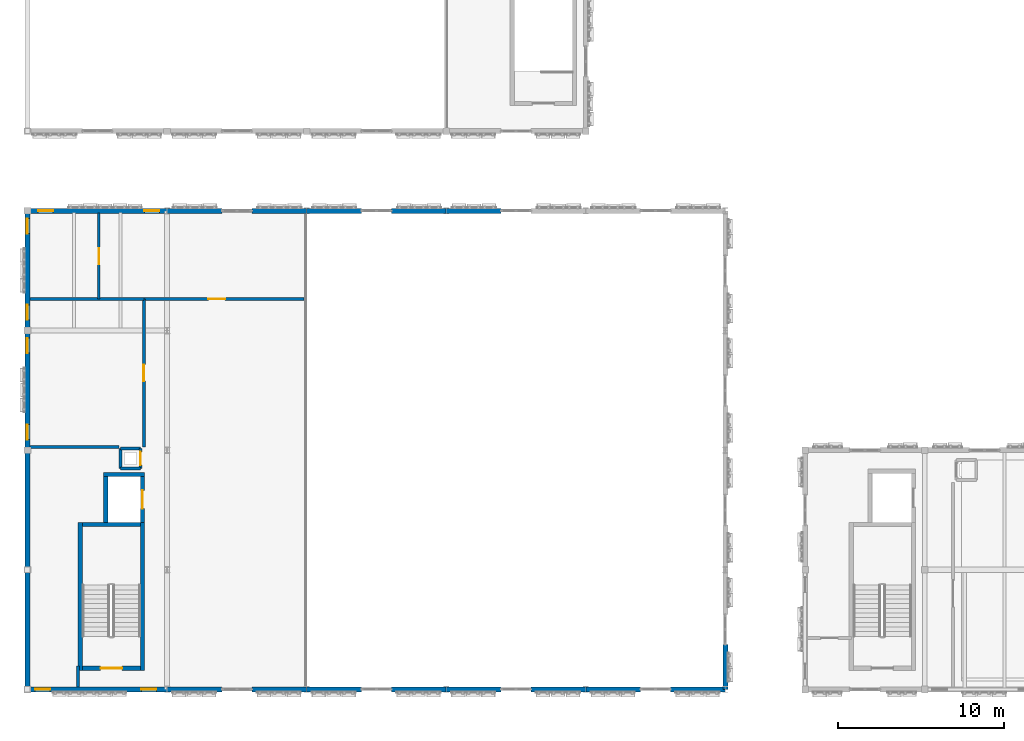
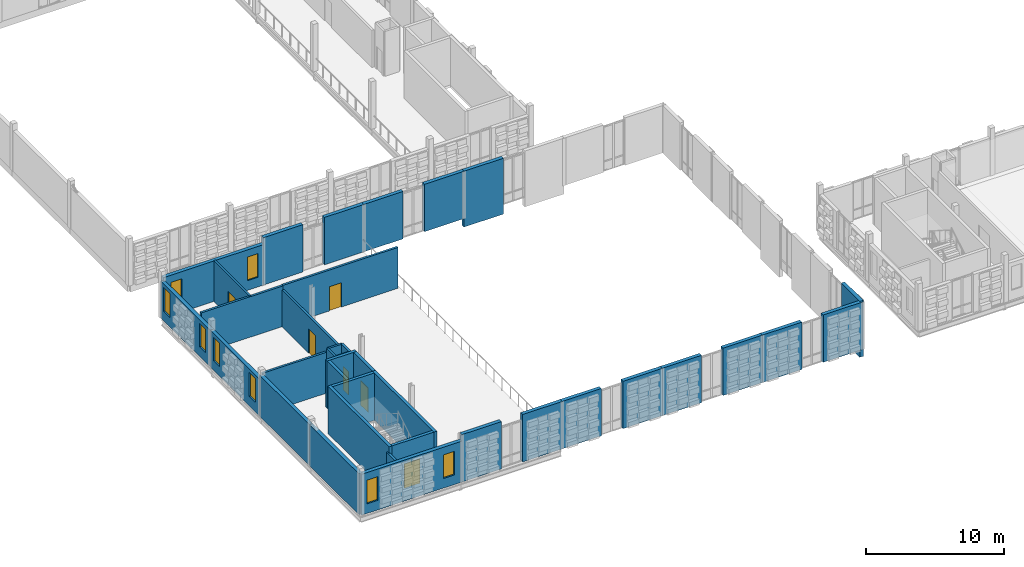
# One storey, part 52 of 81: 37 walls, 8 windows, 6 doors, 14 openings.
"""IFC4 building model written with IfcOpenShell, lengths in metres."""

from ifc_helpers import new_model, si_unit, direction, frame, frame_2d, origin, place, context, subcontext, project, spatial, rectangle, extrude, material, layer, layer_set, type_object, element, fill, save


model = new_model("IFC4")

# Units and contexts
model_context = context("Model", 3, precision=1e-05, world=origin(), true_north=direction((0.0, 1.0)))
body_context = subcontext(model_context, "Body", "Model", "MODEL_VIEW")
ifc_project = project(units=[si_unit("LENGTHUNIT", "METRE"), si_unit("AREAUNIT", "SQUARE_METRE"), si_unit("VOLUMEUNIT", "CUBIC_METRE"), si_unit("PLANEANGLEUNIT", "RADIAN"), si_unit("MASSUNIT", "GRAM", prefix="KILO")], contexts=[model_context])

# Site, building, storey
site_placement = place(None, origin())
site = spatial("IfcSite", under=ifc_project, at=site_placement, CompositionType="ELEMENT")
building_placement = place(site_placement, origin())
building = spatial("IfcBuilding", under=site, at=building_placement, Name="Kahlenmark Community Centre", CompositionType="ELEMENT")
storey_placement = place(building_placement, frame((0.0, 0.0, 9.60009765625)))
storey = spatial("IfcBuildingStorey", under=building, at=storey_placement, Name="L02", CompositionType="ELEMENT", Elevation=9.60009765625)

# Wall, opening, door
ifc_material_1 = material(Name="Concrete C35/45", Category="concrete")
ifc_layer_1 = layer(ifc_material_1, 0.25)
ifc_layer_set_1 = layer_set([ifc_layer_1], Name="Concrete C35/45")
wall_type_1 = type_object("IfcWallType", Name="WT-CORE-250", PredefinedType="SHEAR", material=ifc_layer_set_1)
wall_1_placement = place(storey_placement, frame((7.300048828125, 10.074951171875, 0.0), z_axis=(0.0, 0.0, 1.0), x_axis=(1.0, 0.0, 0.0)))
wall_1 = element("IfcWall", 1, at=wall_1_placement, inside=storey, type_object=wall_type_1, Name="Core K1 shear wall WL-CORE-K1-L02-0022", PredefinedType="SHEAR", context=body_context, shape_type="SweptSolid", body=[
    extrude(rectangle(XDim=3.5, YDim=0.25, at=frame_2d((1.75, 0.0))), origin(), (0.0, 0.0, 1.0), 4.199951171875),
])
opening_1_placement = place(wall_1_placement, frame((1.10009765625, 0.0, -0.010009765625)))
opening_1 = element("IfcOpeningElement", 2, at=opening_1_placement, cuts=wall_1, Name="Opening FD-K1-L02", PredefinedType="OPENING", context=body_context, shape_type="SweptSolid", body=[
    extrude(rectangle(XDim=1.300048828125, YDim=2.159912109375, at=frame_2d((0.64990234375, 1.080078125))), frame((0.0, 0.135009765625, 0.0), z_axis=(0.0, -1.0, 0.0), x_axis=(1.0, 0.0, 0.0)), (0.0, 0.0, 1.0), 0.27001953125),
])
ifc_material_2 = material(Name="Fire-rated steel-framed timber door FD60S", Category="steel")
door_type_1 = type_object("IfcDoorType", Name="DT-FD-K1-L02", OperationType="NOTDEFINED", PredefinedType="DOOR", material=ifc_material_2)
door_1_placement = place(opening_1_placement, frame((1.300048828125, 0.0, 0.010009765625), z_axis=(0.0, 0.0, 1.0), x_axis=(-1.0, 0.0, 0.0)))
door_1 = element("IfcDoor", 3, at=door_1_placement, inside=storey, type_object=door_type_1, Name="Core K1 stair fire door L02", OperationType="SINGLE_SWING_LEFT", OverallHeight=2.14990234375, OverallWidth=1.300048828125, PredefinedType="DOOR", context=body_context, shape_type="SweptSolid", body=[
    extrude(rectangle(XDim=1.300048828125, YDim=2.14990234375, at=frame_2d((0.64990234375, 1.074951171875))), frame((0.0, 0.02490234375, 0.0), z_axis=(0.0, -1.0, 0.0), x_axis=(1.0, 0.0, 0.0)), (0.0, 0.0, 1.0), 0.050048828125),
])
fill(opening_1, door_1)

# Walls
wall_2_placement = place(storey_placement, frame((7.175048828125, 9.949951171875, 0.0), z_axis=(0.0, 0.0, 1.0), x_axis=(0.0, 1.0, 0.0)))
element("IfcWall", 4, at=wall_2_placement, inside=storey, type_object=wall_type_1, Name="Core K1 shear wall WL-CORE-K1-L02-0023", PredefinedType="SHEAR", context=body_context, shape_type="SweptSolid", body=[
    extrude(rectangle(XDim=8.900146484375, YDim=0.25, at=frame_2d((4.4501953125, 0.0))), origin(), (0.0, 0.0, 1.0), 4.199951171875),
])
wall_3_placement = place(storey_placement, frame((10.800048828125, 18.72509765625, 0.0), z_axis=(0.0, 0.0, 1.0), x_axis=(-1.0, 0.0, 0.0)))
element("IfcWall", 5, at=wall_3_placement, inside=storey, type_object=wall_type_1, Name="Core K1 shear wall WL-CORE-K1-L02-0024", PredefinedType="SHEAR", context=body_context, shape_type="SweptSolid", body=[
    extrude(rectangle(XDim=3.5, YDim=0.25, at=frame_2d((1.75, 0.0))), origin(), (0.0, 0.0, 1.0), 4.199951171875),
])
wall_4_placement = place(storey_placement, frame((10.925048828125, 9.949951171875, 0.0), z_axis=(0.0, 0.0, 1.0), x_axis=(0.0, 1.0, 0.0)))
element("IfcWall", 6, at=wall_4_placement, inside=storey, type_object=wall_type_1, Name="Core K1 shear wall WL-CORE-K1-L02-0025", PredefinedType="SHEAR", context=body_context, shape_type="SweptSolid", body=[
    extrude(rectangle(XDim=8.900146484375, YDim=0.25, at=frame_2d((4.4501953125, 0.0))), origin(), (0.0, 0.0, 1.0), 4.199951171875),
])
wall_5_placement = place(storey_placement, frame((8.590087890625, 21.735107421875, 0.0), z_axis=(0.0, 0.0, 1.0), x_axis=(1.0, 0.0, 0.0)))
element("IfcWall", 7, at=wall_5_placement, inside=storey, type_object=wall_type_1, Name="Core K1 shear wall WL-CORE-K1-L02-0026", PredefinedType="SHEAR", context=body_context, shape_type="SweptSolid", body=[
    extrude(rectangle(XDim=2.4599609375, YDim=0.25, at=frame_2d((1.22998046875, 0.0))), origin(), (0.0, 0.0, 1.0), 4.199951171875),
])

# Wall, opening, door
wall_6_placement = place(storey_placement, frame((10.925048828125, 18.85009765625, 0.0), z_axis=(0.0, 0.0, 1.0), x_axis=(0.0, 1.0, 0.0)))
wall_6 = element("IfcWall", 8, at=wall_6_placement, inside=storey, type_object=wall_type_1, Name="Core K1 shear wall WL-CORE-K1-L02-0027", PredefinedType="SHEAR", context=body_context, shape_type="SweptSolid", body=[
    extrude(rectangle(XDim=2.760009765625, YDim=0.25, at=frame_2d((1.3798828125, 0.0))), origin(), (0.0, 0.0, 1.0), 4.199951171875),
])
opening_2_placement = place(wall_6_placement, frame((0.830078125, 0.0, -0.010009765625)))
opening_2 = element("IfcOpeningElement", 9, at=opening_2_placement, cuts=wall_6, Name="Opening LD-1", PredefinedType="OPENING", context=body_context, shape_type="SweptSolid", body=[
    extrude(rectangle(XDim=1.10009765625, YDim=2.159912109375, at=frame_2d((0.550048828125, 1.080078125))), frame((0.0, 0.135009765625, 0.0), z_axis=(0.0, -1.0, 0.0), x_axis=(1.0, 0.0, 0.0)), (0.0, 0.0, 1.0), 0.27001953125),
])
ifc_material_3 = material(Name="Brushed stainless steel sliding lift landing door", Category="steel")
door_type_2 = type_object("IfcDoorType", Name="DT-LD-K1", OperationType="SLIDING_TO_LEFT", PredefinedType="DOOR", material=ifc_material_3)
door_2_placement = place(opening_2_placement, frame((0.0, 0.0, 0.010009765625)))
door_2 = element("IfcDoor", 10, at=door_2_placement, inside=storey, type_object=door_type_2, Name="Lift LF-01 sliding landing door L02", OperationType="SLIDING_TO_LEFT", OverallHeight=2.14990234375, OverallWidth=1.10009765625, PredefinedType="DOOR", context=body_context, shape_type="SweptSolid", body=[
    extrude(rectangle(XDim=1.10009765625, YDim=2.14990234375, at=frame_2d((0.550048828125, 1.074951171875))), frame((0.0, 0.02490234375, 0.0), z_axis=(0.0, -1.0, 0.0), x_axis=(1.0, 0.0, 0.0)), (0.0, 0.0, 1.0), 0.050048828125),
])
fill(opening_2, door_2)

# Wall
wall_7_placement = place(storey_placement, frame((8.715087890625, 18.85009765625, 0.0), z_axis=(0.0, 0.0, 1.0), x_axis=(0.0, 1.0, 0.0)))
element("IfcWall", 11, at=wall_7_placement, inside=storey, type_object=wall_type_1, Name="Core K1 shear wall WL-CORE-K1-L02-0028", PredefinedType="SHEAR", context=body_context, shape_type="SweptSolid", body=[
    extrude(rectangle(XDim=3.010009765625, YDim=0.25, at=frame_2d((1.5048828125, 0.0))), origin(), (0.0, 0.0, 1.0), 4.199951171875),
])

# Wall, openings, windows
ifc_material_4 = material(Name="Cross-laminated timber CLT C24", Category="wood")
ifc_layer_2 = layer(ifc_material_4, 0.300048828125)
ifc_layer_set_2 = layer_set([ifc_layer_2], Name="Cross-laminated timber CLT C24")
wall_type_2 = type_object("IfcWallType", Name="WT-EW-300", PredefinedType="SOLIDWALL", material=ifc_layer_set_2)
wall_8_placement = place(storey_placement, frame((4.0, 8.800048828125, 0.0), z_axis=(0.0, 0.0, 1.0), x_axis=(1.0, 0.0, 0.0)))
wall_8 = element("IfcWall", 12, at=wall_8_placement, inside=storey, type_object=wall_type_2, Name="Exterior wall WL-EXT-L02-0412", PredefinedType="SOLIDWALL", context=body_context, shape_type="SweptSolid", body=[
    extrude(rectangle(XDim=8.39990234375, YDim=0.300048828125, at=frame_2d((4.199951171875, 0.0))), origin(), (0.0, 0.0, 1.0), 3.6298828125),
])
opening_3_placement = place(wall_8_placement, frame((0.4599609375, 0.0, 0.85009765625)))
opening_3 = element("IfcOpeningElement", 13, at=opening_3_placement, cuts=wall_8, Name="Opening W-090X210", PredefinedType="OPENING", context=body_context, shape_type="SweptSolid", body=[
    extrude(rectangle(XDim=0.89990234375, YDim=2.10009765625, at=frame_2d((0.449951171875, 1.050048828125))), frame((0.0, 0.159912109375, 0.0), z_axis=(0.0, -1.0, 0.0), x_axis=(1.0, 0.0, 0.0)), (0.0, 0.0, 1.0), 0.320068359375),
])
opening_4_placement = place(wall_8_placement, frame((6.860107421875, 0.0, 0.85009765625)))
opening_4 = element("IfcOpeningElement", 14, at=opening_4_placement, cuts=wall_8, Name="Opening W-090X210", PredefinedType="OPENING", context=body_context, shape_type="SweptSolid", body=[
    extrude(rectangle(XDim=0.89990234375, YDim=2.10009765625, at=frame_2d((0.449951171875, 1.050048828125))), frame((0.0, 0.159912109375, 0.0), z_axis=(0.0, -1.0, 0.0), x_axis=(1.0, 0.0, 0.0)), (0.0, 0.0, 1.0), 0.320068359375),
])
ifc_material_5 = material(Name="Recessed basketweave aperture triple glazing", Category="glass")
window_type = type_object("IfcWindowType", Name="WNT-090X210", PartitioningType="SINGLE_PANEL", PredefinedType="WINDOW", material=ifc_material_5)
window_1_placement = place(opening_3_placement, origin())
window_1 = element("IfcWindow", 15, at=window_1_placement, inside=storey, type_object=window_type, Name="Window W-090X210 #0263", OverallHeight=2.10009765625, OverallWidth=0.89990234375, PartitioningType="SINGLE_PANEL", PredefinedType="WINDOW", context=body_context, shape_type="SweptSolid", body=[
    extrude(rectangle(XDim=0.89990234375, YDim=2.10009765625, at=frame_2d((0.449951171875, 1.050048828125))), frame((0.0, 0.030029296875, 0.0), z_axis=(0.0, -1.0, 0.0), x_axis=(1.0, 0.0, 0.0)), (0.0, 0.0, 1.0), 0.06005859375),
])
fill(opening_3, window_1)
window_2_placement = place(opening_4_placement, origin())
window_2 = element("IfcWindow", 16, at=window_2_placement, inside=storey, type_object=window_type, Name="Window W-090X210 #0264", OverallHeight=2.10009765625, OverallWidth=0.89990234375, PartitioningType="SINGLE_PANEL", PredefinedType="WINDOW", context=body_context, shape_type="SweptSolid", body=[
    extrude(rectangle(XDim=0.89990234375, YDim=2.10009765625, at=frame_2d((0.449951171875, 1.050048828125))), frame((0.0, 0.030029296875, 0.0), z_axis=(0.0, -1.0, 0.0), x_axis=(1.0, 0.0, 0.0)), (0.0, 0.0, 1.0), 0.06005859375),
])
fill(opening_4, window_2)

# Walls
for number, where, z_axis, x_axis, name in (
    (17, (12.39990234375, 8.800048828125, 0.0), (0.0, 0.0, 1.0), (1.0, 0.0, 0.0), "Basketweave backup wall WL-EXT-L02-0413"),
    (18, (17.5, 8.800048828125, 0.0), (0.0, 0.0, 1.0), (1.0, 0.0, 0.0), "Basketweave backup wall WL-EXT-L02-0414"),
    (19, (20.800048828125, 8.800048828125, 0.0), (0.0, 0.0, 1.0), (1.0, 0.0, 0.0), "Basketweave backup wall WL-EXT-L02-0415"),
    (20, (25.89990234375, 8.800048828125, 0.0), (0.0, 0.0, 1.0), (1.0, 0.0, 0.0), "Basketweave backup wall WL-EXT-L02-0416"),
    (21, (29.199951171875, 8.800048828125, 0.0), (0.0, 0.0, 1.0), (1.0, 0.0, 0.0), "Basketweave backup wall WL-EXT-L02-0417"),
    (22, (34.300048828125, 8.800048828125, 0.0), (0.0, 0.0, 1.0), (1.0, 0.0, 0.0), "Basketweave backup wall WL-EXT-L02-0418"),
):
    element("IfcWall", number, at=place(storey_placement, frame(where, z_axis=z_axis, x_axis=x_axis)), inside=storey, type_object=wall_type_2, Name=name, PredefinedType="SOLIDWALL", context=body_context, shape_type="SweptSolid", body=[
        extrude(rectangle(XDim=3.300048828125, YDim=0.300048828125, at=frame_2d((1.64990234375, 0.0))), origin(), (0.0, 0.0, 1.0), 4.199951171875),
    ])
wall_9_placement = place(storey_placement, frame((37.60009765625, 8.800048828125, 0.0), z_axis=(0.0, 0.0, 1.0), x_axis=(1.0, 0.0, 0.0)))
element("IfcWall", 23, at=wall_9_placement, inside=storey, type_object=wall_type_2, Name="Basketweave backup wall WL-EXT-L02-0419", PredefinedType="SOLIDWALL", context=body_context, shape_type="SweptSolid", body=[
    extrude(rectangle(XDim=3.2998046875, YDim=0.300048828125, at=frame_2d((1.64990234375, 0.0))), origin(), (0.0, 0.0, 1.0), 4.199951171875),
])
wall_10_placement = place(storey_placement, frame((42.699951171875, 8.800048828125, 0.0), z_axis=(0.0, 0.0, 1.0), x_axis=(1.0, 0.0, 0.0)))
element("IfcWall", 24, at=wall_10_placement, inside=storey, type_object=wall_type_2, Name="Basketweave backup wall WL-EXT-L02-0420", PredefinedType="SOLIDWALL", context=body_context, shape_type="SweptSolid", body=[
    extrude(rectangle(XDim=3.300048828125, YDim=0.300048828125, at=frame_2d((1.64990234375, 0.0))), origin(), (0.0, 0.0, 1.0), 4.199951171875),
])

# Wall, openings, windows
wall_11_placement = place(storey_placement, frame((12.39990234375, 37.60009765625, 0.0), z_axis=(0.0, 0.0, 1.0), x_axis=(-1.0, 0.0, 0.0)))
wall_11 = element("IfcWall", 25, at=wall_11_placement, inside=storey, type_object=wall_type_2, Name="Exterior wall WL-EXT-L02-0421", PredefinedType="SOLIDWALL", context=body_context, shape_type="SweptSolid", body=[
    extrude(rectangle(XDim=8.39990234375, YDim=0.300048828125, at=frame_2d((4.199951171875, 0.0))), origin(), (0.0, 0.0, 1.0), 3.58984375),
])
opening_5_placement = place(wall_11_placement, frame((0.4599609375, 0.0, 0.85009765625)))
opening_5 = element("IfcOpeningElement", 26, at=opening_5_placement, cuts=wall_11, Name="Opening W-090X210", PredefinedType="OPENING", context=body_context, shape_type="SweptSolid", body=[
    extrude(rectangle(XDim=0.89990234375, YDim=2.10009765625, at=frame_2d((0.449951171875, 1.050048828125))), frame((0.0, 0.159912109375, 0.0), z_axis=(0.0, -1.0, 0.0), x_axis=(1.0, 0.0, 0.0)), (0.0, 0.0, 1.0), 0.320068359375),
])
opening_6_placement = place(wall_11_placement, frame((6.860107421875, 0.0, 0.85009765625)))
opening_6 = element("IfcOpeningElement", 27, at=opening_6_placement, cuts=wall_11, Name="Opening W-090X210", PredefinedType="OPENING", context=body_context, shape_type="SweptSolid", body=[
    extrude(rectangle(XDim=0.89990234375, YDim=2.10009765625, at=frame_2d((0.449951171875, 1.050048828125))), frame((0.0, 0.159912109375, 0.0), z_axis=(0.0, -1.0, 0.0), x_axis=(1.0, 0.0, 0.0)), (0.0, 0.0, 1.0), 0.320068359375),
])
window_3_placement = place(opening_5_placement, origin())
window_3 = element("IfcWindow", 28, at=window_3_placement, inside=storey, type_object=window_type, Name="Window W-090X210 #0265", OverallHeight=2.10009765625, OverallWidth=0.89990234375, PartitioningType="SINGLE_PANEL", PredefinedType="WINDOW", context=body_context, shape_type="SweptSolid", body=[
    extrude(rectangle(XDim=0.89990234375, YDim=2.10009765625, at=frame_2d((0.449951171875, 1.050048828125))), frame((0.0, 0.030029296875, 0.0), z_axis=(0.0, -1.0, 0.0), x_axis=(1.0, 0.0, 0.0)), (0.0, 0.0, 1.0), 0.06005859375),
])
fill(opening_5, window_3)
window_4_placement = place(opening_6_placement, origin())
window_4 = element("IfcWindow", 29, at=window_4_placement, inside=storey, type_object=window_type, Name="Window W-090X210 #0266", OverallHeight=2.10009765625, OverallWidth=0.89990234375, PartitioningType="SINGLE_PANEL", PredefinedType="WINDOW", context=body_context, shape_type="SweptSolid", body=[
    extrude(rectangle(XDim=0.89990234375, YDim=2.10009765625, at=frame_2d((0.449951171875, 1.050048828125))), frame((0.0, 0.030029296875, 0.0), z_axis=(0.0, -1.0, 0.0), x_axis=(1.0, 0.0, 0.0)), (0.0, 0.0, 1.0), 0.06005859375),
])
fill(opening_6, window_4)

# Walls
for number, where, z_axis, x_axis, name in (
    (30, (20.800048828125, 37.60009765625, 0.0), (0.0, 0.0, 1.0), (-1.0, 0.0, 0.0), "Basketweave backup wall WL-EXT-L02-0422"),
    (31, (15.699951171875, 37.60009765625, 0.0), (0.0, 0.0, 1.0), (-1.0, 0.0, 0.0), "Basketweave backup wall WL-EXT-L02-0423"),
    (32, (29.199951171875, 37.60009765625, 0.0), (0.0, 0.0, 1.0), (-1.0, 0.0, 0.0), "Basketweave backup wall WL-EXT-L02-0424"),
    (33, (24.10009765625, 37.60009765625, 0.0), (0.0, 0.0, 1.0), (-1.0, 0.0, 0.0), "Basketweave backup wall WL-EXT-L02-0425"),
):
    element("IfcWall", number, at=place(storey_placement, frame(where, z_axis=z_axis, x_axis=x_axis)), inside=storey, type_object=wall_type_2, Name=name, PredefinedType="SOLIDWALL", context=body_context, shape_type="SweptSolid", body=[
        extrude(rectangle(XDim=3.300048828125, YDim=0.300048828125, at=frame_2d((1.64990234375, 0.0))), origin(), (0.0, 0.0, 1.0), 4.199951171875),
    ])
wall_12_placement = place(storey_placement, frame((32.5, 37.60009765625, -0.75), z_axis=(0.0, 0.0, 1.0), x_axis=(-1.0, 0.0, 0.0)))
element("IfcWall", 34, at=wall_12_placement, inside=storey, type_object=wall_type_2, Name="Basketweave backup wall WL-EXT-L02-0427", PredefinedType="SOLIDWALL", context=body_context, shape_type="SweptSolid", body=[
    extrude(rectangle(XDim=3.300048828125, YDim=0.300048828125, at=frame_2d((1.64990234375, 0.0))), origin(), (0.0, 0.0, 1.0), 4.949951171875),
])
for number, where, z_axis, x_axis, name in (
    (35, (4.0, 16.0, 0.0), (0.0, 0.0, 1.0), (0.0, -1.0, 0.0), "Exterior wall WL-EXT-L02-0430"),
    (36, (4.0, 23.199951171875, 0.0), (0.0, 0.0, 1.0), (0.0, -1.0, 0.0), "Exterior wall WL-EXT-L02-0431"),
):
    element("IfcWall", number, at=place(storey_placement, frame(where, z_axis=z_axis, x_axis=x_axis)), inside=storey, type_object=wall_type_2, Name=name, PredefinedType="SOLIDWALL", context=body_context, shape_type="SweptSolid", body=[
        extrude(rectangle(XDim=7.199951171875, YDim=0.300048828125, at=frame_2d((3.60009765625, 0.0))), origin(), (0.0, 0.0, 1.0), 3.6298828125),
    ])

# Wall, openings, windows
wall_13_placement = place(storey_placement, frame((4.0, 30.39990234375, 0.0), z_axis=(0.0, 0.0, 1.0), x_axis=(0.0, -1.0, 0.0)))
wall_13 = element("IfcWall", 37, at=wall_13_placement, inside=storey, type_object=wall_type_2, Name="Exterior wall WL-EXT-L02-0432", PredefinedType="SOLIDWALL", context=body_context, shape_type="SweptSolid", body=[
    extrude(rectangle(XDim=7.199951171875, YDim=0.300048828125, at=frame_2d((3.60009765625, 0.0))), origin(), (0.0, 0.0, 1.0), 3.27001953125),
])
opening_7_placement = place(wall_13_placement, frame((0.4599609375, 0.0, 0.85009765625)))
opening_7 = element("IfcOpeningElement", 38, at=opening_7_placement, cuts=wall_13, Name="Opening W-090X210", PredefinedType="OPENING", context=body_context, shape_type="SweptSolid", body=[
    extrude(rectangle(XDim=0.89990234375, YDim=2.10009765625, at=frame_2d((0.449951171875, 1.050048828125))), frame((0.0, 0.159912109375, 0.0), z_axis=(0.0, -1.0, 0.0), x_axis=(1.0, 0.0, 0.0)), (0.0, 0.0, 1.0), 0.320068359375),
])
opening_8_placement = place(wall_13_placement, frame((5.659912109375, 0.0, 0.85009765625)))
opening_8 = element("IfcOpeningElement", 39, at=opening_8_placement, cuts=wall_13, Name="Opening W-090X210", PredefinedType="OPENING", context=body_context, shape_type="SweptSolid", body=[
    extrude(rectangle(XDim=0.89990234375, YDim=2.10009765625, at=frame_2d((0.449951171875, 1.050048828125))), frame((0.0, 0.159912109375, 0.0), z_axis=(0.0, -1.0, 0.0), x_axis=(1.0, 0.0, 0.0)), (0.0, 0.0, 1.0), 0.320068359375),
])
window_5_placement = place(opening_7_placement, origin())
window_5 = element("IfcWindow", 40, at=window_5_placement, inside=storey, type_object=window_type, Name="Window W-090X210 #0267", OverallHeight=2.10009765625, OverallWidth=0.89990234375, PartitioningType="SINGLE_PANEL", PredefinedType="WINDOW", context=body_context, shape_type="SweptSolid", body=[
    extrude(rectangle(XDim=0.89990234375, YDim=2.10009765625, at=frame_2d((0.449951171875, 1.050048828125))), frame((0.0, 0.030029296875, 0.0), z_axis=(0.0, -1.0, 0.0), x_axis=(1.0, 0.0, 0.0)), (0.0, 0.0, 1.0), 0.06005859375),
])
fill(opening_7, window_5)
window_6_placement = place(opening_8_placement, origin())
window_6 = element("IfcWindow", 41, at=window_6_placement, inside=storey, type_object=window_type, Name="Window W-090X210 #0268", OverallHeight=2.10009765625, OverallWidth=0.89990234375, PartitioningType="SINGLE_PANEL", PredefinedType="WINDOW", context=body_context, shape_type="SweptSolid", body=[
    extrude(rectangle(XDim=0.89990234375, YDim=2.10009765625, at=frame_2d((0.449951171875, 1.050048828125))), frame((0.0, 0.030029296875, 0.0), z_axis=(0.0, -1.0, 0.0), x_axis=(1.0, 0.0, 0.0)), (0.0, 0.0, 1.0), 0.06005859375),
])
fill(opening_8, window_6)

wall_14_placement = place(storey_placement, frame((4.0, 37.60009765625, 0.0), z_axis=(0.0, 0.0, 1.0), x_axis=(0.0, -1.0, 0.0)))
wall_14 = element("IfcWall", 42, at=wall_14_placement, inside=storey, type_object=wall_type_2, Name="Exterior wall WL-EXT-L02-0433", PredefinedType="SOLIDWALL", context=body_context, shape_type="SweptSolid", body=[
    extrude(rectangle(XDim=7.2001953125, YDim=0.300048828125, at=frame_2d((3.60009765625, 0.0))), origin(), (0.0, 0.0, 1.0), 3.27001953125),
])
opening_9_placement = place(wall_14_placement, frame((0.4599609375, 0.0, 0.85009765625)))
opening_9 = element("IfcOpeningElement", 43, at=opening_9_placement, cuts=wall_14, Name="Opening W-090X210", PredefinedType="OPENING", context=body_context, shape_type="SweptSolid", body=[
    extrude(rectangle(XDim=0.89990234375, YDim=2.10009765625, at=frame_2d((0.449951171875, 1.050048828125))), frame((0.0, 0.159912109375, 0.0), z_axis=(0.0, -1.0, 0.0), x_axis=(1.0, 0.0, 0.0)), (0.0, 0.0, 1.0), 0.320068359375),
])
opening_10_placement = place(wall_14_placement, frame((5.659912109375, 0.0, 0.85009765625)))
opening_10 = element("IfcOpeningElement", 44, at=opening_10_placement, cuts=wall_14, Name="Opening W-090X210", PredefinedType="OPENING", context=body_context, shape_type="SweptSolid", body=[
    extrude(rectangle(XDim=0.89990234375, YDim=2.10009765625, at=frame_2d((0.449951171875, 1.050048828125))), frame((0.0, 0.159912109375, 0.0), z_axis=(0.0, -1.0, 0.0), x_axis=(1.0, 0.0, 0.0)), (0.0, 0.0, 1.0), 0.320068359375),
])
window_7_placement = place(opening_9_placement, origin())
window_7 = element("IfcWindow", 45, at=window_7_placement, inside=storey, type_object=window_type, Name="Window W-090X210 #0269", OverallHeight=2.10009765625, OverallWidth=0.89990234375, PartitioningType="SINGLE_PANEL", PredefinedType="WINDOW", context=body_context, shape_type="SweptSolid", body=[
    extrude(rectangle(XDim=0.89990234375, YDim=2.10009765625, at=frame_2d((0.449951171875, 1.050048828125))), frame((0.0, 0.030029296875, 0.0), z_axis=(0.0, -1.0, 0.0), x_axis=(1.0, 0.0, 0.0)), (0.0, 0.0, 1.0), 0.06005859375),
])
fill(opening_9, window_7)
window_8_placement = place(opening_10_placement, origin())
window_8 = element("IfcWindow", 46, at=window_8_placement, inside=storey, type_object=window_type, Name="Window W-090X210 #0270", OverallHeight=2.10009765625, OverallWidth=0.89990234375, PartitioningType="SINGLE_PANEL", PredefinedType="WINDOW", context=body_context, shape_type="SweptSolid", body=[
    extrude(rectangle(XDim=0.89990234375, YDim=2.10009765625, at=frame_2d((0.449951171875, 1.050048828125))), frame((0.0, 0.030029296875, 0.0), z_axis=(0.0, -1.0, 0.0), x_axis=(1.0, 0.0, 0.0)), (0.0, 0.0, 1.0), 0.06005859375),
])
fill(opening_10, window_8)

# Wall
wall_15_placement = place(storey_placement, frame((46.0, 8.800048828125, -0.75), z_axis=(0.0, 0.0, 1.0), x_axis=(0.0, 1.0, 0.0)))
element("IfcWall", 47, at=wall_15_placement, inside=storey, type_object=wall_type_2, Name="Basketweave backup wall WL-EXT-L02-0434", PredefinedType="SOLIDWALL", context=body_context, shape_type="SweptSolid", body=[
    extrude(rectangle(XDim=2.699951171875, YDim=0.300048828125, at=frame_2d((1.35009765625, 0.0))), origin(), (0.0, 0.0, 1.0), 4.949951171875),
])

# Wall, opening, door
ifc_material_6 = material(Name="Gypsum plasterboard partition", Category="gypsum")
ifc_layer_3 = layer(ifc_material_6, 0.14990234375)
ifc_layer_set_3 = layer_set([ifc_layer_3], Name="Gypsum plasterboard partition")
wall_type_3 = type_object("IfcWallType", Name="WT-PW-150", PredefinedType="PARTITIONING", material=ifc_layer_set_3)
wall_16_placement = place(storey_placement, frame((8.300048828125, 32.300048828125, 0.0), z_axis=(0.0, 0.0, 1.0), x_axis=(0.0, 1.0, 0.0)))
wall_16 = element("IfcWall", 48, at=wall_16_placement, inside=storey, type_object=wall_type_3, Name="Interior partition WL-INT-L02-0167", PredefinedType="PARTITIONING", context=body_context, shape_type="SweptSolid", body=[
    extrude(rectangle(XDim=5.159912109375, YDim=0.14990234375, at=frame_2d((2.580078125, 0.0))), origin(), (0.0, 0.0, 1.0), 3.6298828125),
])
opening_11_placement = place(wall_16_placement, frame((2.10498046875, 0.0, -0.010009765625)))
opening_11 = element("IfcOpeningElement", 49, at=opening_11_placement, cuts=wall_16, Name="Opening D-L02-096", PredefinedType="OPENING", context=body_context, shape_type="SweptSolid", body=[
    extrude(rectangle(XDim=0.949951171875, YDim=2.159912109375, at=frame_2d((0.47509765625, 1.080078125))), frame((0.0, 0.0849609375, 0.0), z_axis=(0.0, -1.0, 0.0), x_axis=(1.0, 0.0, 0.0)), (0.0, 0.0, 1.0), 0.169921875),
])
ifc_material_7 = material(Name="Oak timber veneer door leaf", Category="wood")
door_type_3 = type_object("IfcDoorType", Name="DT-INT-95X215", OperationType="NOTDEFINED", PredefinedType="DOOR", material=ifc_material_7)
door_3_placement = place(opening_11_placement, frame((0.949951171875, 0.0, 0.010009765625), z_axis=(0.0, 0.0, 1.0), x_axis=(-1.0, 0.0, 0.0)))
door_3 = element("IfcDoor", 50, at=door_3_placement, inside=storey, type_object=door_type_3, Name="Interior door D-L02-096", OperationType="SINGLE_SWING_LEFT", OverallHeight=2.14990234375, OverallWidth=0.949951171875, PredefinedType="DOOR", context=body_context, shape_type="SweptSolid", body=[
    extrude(rectangle(XDim=0.949951171875, YDim=2.14990234375, at=frame_2d((0.47509765625, 1.074951171875))), frame((0.0, 0.02490234375, 0.0), z_axis=(0.0, -1.0, 0.0), x_axis=(1.0, 0.0, 0.0)), (0.0, 0.0, 1.0), 0.050048828125),
])
fill(opening_11, door_3)

# Walls
ifc_layer_4 = layer(ifc_material_6, 0.179931640625)
ifc_layer_set_4 = layer_set([ifc_layer_4], Name="Gypsum plasterboard partition")
wall_type_4 = type_object("IfcWallType", Name="WT-PW-180", PredefinedType="PARTITIONING", material=ifc_layer_set_4)
wall_17_placement = place(storey_placement, frame((7.050048828125, 8.9599609375, 0.0), z_axis=(0.0, 0.0, 1.0), x_axis=(0.0, 1.0, 0.0)))
element("IfcWall", 51, at=wall_17_placement, inside=storey, type_object=wall_type_4, Name="Interior partition WL-INT-L02-0163", PredefinedType="PARTITIONING", context=body_context, shape_type="SweptSolid", body=[
    extrude(rectangle(XDim=1.239990234375, YDim=0.179931640625, at=frame_2d((0.6201171875, 0.0))), origin(), (0.0, 0.0, 1.0), 3.6298828125),
])
wall_18_placement = place(storey_placement, frame((4.159912109375, 23.39990234375, 0.0), z_axis=(0.0, 0.0, 1.0), x_axis=(1.0, 0.0, 0.0)))
element("IfcWall", 52, at=wall_18_placement, inside=storey, type_object=wall_type_4, Name="Interior partition WL-INT-L02-0164", PredefinedType="PARTITIONING", context=body_context, shape_type="SweptSolid", body=[
    extrude(rectangle(XDim=5.340087890625, YDim=0.179931640625, at=frame_2d((2.669921875, 0.0))), origin(), (0.0, 0.0, 1.0), 3.6298828125),
])

# Wall, opening, door
wall_19_placement = place(storey_placement, frame((11.0, 23.39990234375, 0.0), z_axis=(0.0, 0.0, 1.0), x_axis=(0.0, 1.0, 0.0)))
wall_19 = element("IfcWall", 53, at=wall_19_placement, inside=storey, type_object=wall_type_4, Name="Interior partition WL-INT-L02-0165", PredefinedType="PARTITIONING", context=body_context, shape_type="SweptSolid", body=[
    extrude(rectangle(XDim=8.900146484375, YDim=0.179931640625, at=frame_2d((4.4501953125, 0.0))), origin(), (0.0, 0.0, 1.0), 3.27001953125),
])
opening_12_placement = place(wall_19_placement, frame((3.949951171875, 0.0, -0.010009765625)))
opening_12 = element("IfcOpeningElement", 54, at=opening_12_placement, cuts=wall_19, Name="Opening D-L02-095", PredefinedType="OPENING", context=body_context, shape_type="SweptSolid", body=[
    extrude(rectangle(XDim=1.0, YDim=2.159912109375, at=frame_2d((0.5, 1.080078125))), frame((0.0, 0.099853515625, 0.0), z_axis=(0.0, -1.0, 0.0), x_axis=(1.0, 0.0, 0.0)), (0.0, 0.0, 1.0), 0.199951171875),
])
door_type_4 = type_object("IfcDoorType", Name="DT-INT-100X215", OperationType="NOTDEFINED", PredefinedType="DOOR", material=ifc_material_7)
door_4_placement = place(opening_12_placement, frame((0.0, 0.0, 0.010009765625)))
door_4 = element("IfcDoor", 55, at=door_4_placement, inside=storey, type_object=door_type_4, Name="Interior door D-L02-095", OperationType="SINGLE_SWING_RIGHT", OverallHeight=2.14990234375, OverallWidth=1.0, PredefinedType="DOOR", context=body_context, shape_type="SweptSolid", body=[
    extrude(rectangle(XDim=1.0, YDim=2.14990234375, at=frame_2d((0.5, 1.074951171875))), frame((0.0, 0.02490234375, 0.0), z_axis=(0.0, -1.0, 0.0), x_axis=(1.0, 0.0, 0.0)), (0.0, 0.0, 1.0), 0.050048828125),
])
fill(opening_12, door_4)

# Wall
wall_20_placement = place(storey_placement, frame((4.159912109375, 32.300048828125, 0.0), z_axis=(0.0, 0.0, 1.0), x_axis=(1.0, 0.0, 0.0)))
element("IfcWall", 56, at=wall_20_placement, inside=storey, type_object=wall_type_4, Name="Interior partition WL-INT-L02-0166", PredefinedType="PARTITIONING", context=body_context, shape_type="SweptSolid", body=[
    extrude(rectangle(XDim=6.840087890625, YDim=0.179931640625, at=frame_2d((3.419921875, 0.0))), origin(), (0.0, 0.0, 1.0), 3.58984375),
])

# Wall, opening, door
wall_21_placement = place(storey_placement, frame((11.0, 32.300048828125, 0.0), z_axis=(0.0, 0.0, 1.0), x_axis=(1.0, 0.0, 0.0)))
wall_21 = element("IfcWall", 57, at=wall_21_placement, inside=storey, type_object=wall_type_4, Name="Interior partition WL-INT-L02-0168", PredefinedType="PARTITIONING", context=body_context, shape_type="SweptSolid", body=[
    extrude(rectangle(XDim=9.639892578125, YDim=0.179931640625, at=frame_2d((4.81982421875, 0.0))), origin(), (0.0, 0.0, 1.0), 3.6298828125),
])
opening_13_placement = place(wall_21_placement, frame((3.887939453125, 0.0, -0.010009765625)))
opening_13 = element("IfcOpeningElement", 58, at=opening_13_placement, cuts=wall_21, Name="Opening D-L02-097", PredefinedType="OPENING", context=body_context, shape_type="SweptSolid", body=[
    extrude(rectangle(XDim=1.0, YDim=2.159912109375, at=frame_2d((0.5, 1.080078125))), frame((0.0, 0.099853515625, 0.0), z_axis=(0.0, -1.0, 0.0), x_axis=(1.0, 0.0, 0.0)), (0.0, 0.0, 1.0), 0.199951171875),
])
door_5_placement = place(opening_13_placement, frame((0.0, 0.0, 0.010009765625)))
door_5 = element("IfcDoor", 59, at=door_5_placement, inside=storey, type_object=door_type_4, Name="Interior door D-L02-097", OperationType="SINGLE_SWING_RIGHT", OverallHeight=2.14990234375, OverallWidth=1.0, PredefinedType="DOOR", context=body_context, shape_type="SweptSolid", body=[
    extrude(rectangle(XDim=1.0, YDim=2.14990234375, at=frame_2d((0.5, 1.074951171875))), frame((0.0, 0.02490234375, 0.0), z_axis=(0.0, -1.0, 0.0), x_axis=(1.0, 0.0, 0.0)), (0.0, 0.0, 1.0), 0.050048828125),
])
fill(opening_13, door_5)

# Wall
ifc_material_8 = material(Name="Masonry blockwork", Category="masonry")
ifc_layer_5 = layer(ifc_material_8, 0.179931640625)
ifc_layer_set_5 = layer_set([ifc_layer_5], Name="Masonry blockwork")
wall_type_5 = type_object("IfcWallType", Name="WT-RISER-180", PredefinedType="SOLIDWALL", material=ifc_layer_set_5)
wall_22_placement = place(storey_placement, frame((9.60009765625, 22.10009765625, 0.0), z_axis=(0.0, 0.0, 1.0), x_axis=(1.0, 0.0, 0.0)))
element("IfcWall", 60, at=wall_22_placement, inside=storey, type_object=wall_type_5, Name="Riser RS-01 shaft wall L02.1", PredefinedType="SOLIDWALL", context=body_context, shape_type="SweptSolid", body=[
    extrude(rectangle(XDim=1.199951171875, YDim=0.179931640625, at=frame_2d((0.60009765625, 0.0))), origin(), (0.0, 0.0, 1.0), 3.969970703125),
])

# Wall, opening, door
wall_23_placement = place(storey_placement, frame((10.800048828125, 22.10009765625, 0.0), z_axis=(0.0, 0.0, 1.0), x_axis=(0.0, 1.0, 0.0)))
wall_23 = element("IfcWall", 61, at=wall_23_placement, inside=storey, type_object=wall_type_5, Name="Riser RS-01 shaft wall L02.2", PredefinedType="SOLIDWALL", context=body_context, shape_type="SweptSolid", body=[
    extrude(rectangle(XDim=1.199951171875, YDim=0.179931640625, at=frame_2d((0.60009765625, 0.0))), origin(), (0.0, 0.0, 1.0), 3.969970703125),
])
opening_14_placement = place(wall_23_placement, frame((0.199951171875, 0.0, -0.010009765625)))
opening_14 = element("IfcOpeningElement", 62, at=opening_14_placement, cuts=wall_23, Name="Opening FD-RS80", PredefinedType="OPENING", context=body_context, shape_type="SweptSolid", body=[
    extrude(rectangle(XDim=0.800048828125, YDim=2.06005859375, at=frame_2d((0.39990234375, 1.030029296875))), frame((0.0, 0.099853515625, 0.0), z_axis=(0.0, -1.0, 0.0), x_axis=(1.0, 0.0, 0.0)), (0.0, 0.0, 1.0), 0.199951171875),
])
ifc_material_9 = material(Name="Fire-rated steel service riser door FD60S", Category="steel")
door_type_5 = type_object("IfcDoorType", Name="DT-RISER-80X205", OperationType="NOTDEFINED", PredefinedType="DOOR", material=ifc_material_9)
door_6_placement = place(opening_14_placement, frame((0.0, 0.0, 0.010009765625)))
door_6 = element("IfcDoor", 63, at=door_6_placement, inside=storey, type_object=door_type_5, Name="Riser RS-01 access door L02", OperationType="SINGLE_SWING_RIGHT", OverallHeight=2.050048828125, OverallWidth=0.800048828125, PredefinedType="DOOR", context=body_context, shape_type="SweptSolid", body=[
    extrude(rectangle(XDim=0.800048828125, YDim=2.050048828125, at=frame_2d((0.39990234375, 1.02490234375))), frame((0.0, 0.02490234375, 0.0), z_axis=(0.0, -1.0, 0.0), x_axis=(1.0, 0.0, 0.0)), (0.0, 0.0, 1.0), 0.050048828125),
])
fill(opening_14, door_6)

# Walls
for number, where, z_axis, x_axis, name in (
    (64, (10.800048828125, 23.300048828125, 0.0), (0.0, 0.0, 1.0), (-1.0, 0.0, 0.0), "Riser RS-01 shaft wall L02.3"),
    (65, (9.60009765625, 23.300048828125, 0.0), (0.0, 0.0, 1.0), (0.0, -1.0, 0.0), "Riser RS-01 shaft wall L02.4"),
):
    element("IfcWall", number, at=place(storey_placement, frame(where, z_axis=z_axis, x_axis=x_axis)), inside=storey, type_object=wall_type_5, Name=name, PredefinedType="SOLIDWALL", context=body_context, shape_type="SweptSolid", body=[
        extrude(rectangle(XDim=1.199951171875, YDim=0.179931640625, at=frame_2d((0.60009765625, 0.0))), origin(), (0.0, 0.0, 1.0), 3.969970703125),
    ])

save(model, "model.ifc")
